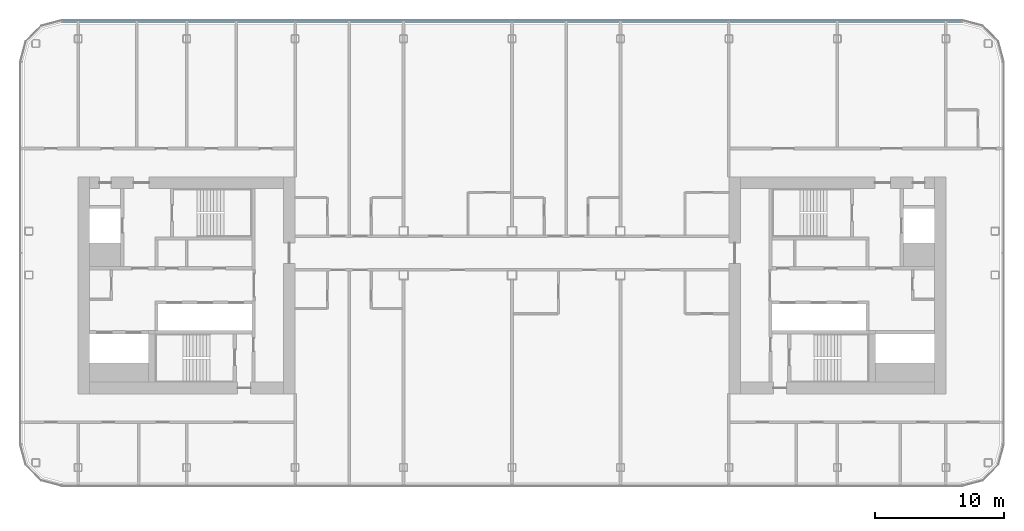
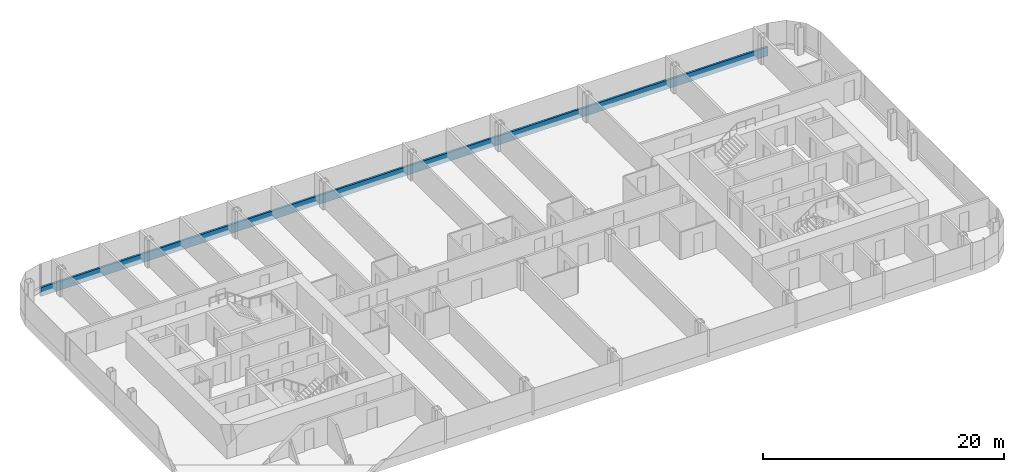
# One storey, part 8 of 26: 1 member, 1 element without a shape of its own.
"""IFC4 building model written with IfcOpenShell, lengths in metres."""

from ifc_helpers import new_model, si_unit, direction, frame, origin, origin_2d, place, context, subcontext, project, spatial, rectangle, extrude, material, layer, layer_set, material_profile, profile_set, type_object, element, aggregate, save


model = new_model("IFC4")

# Units and contexts
model_context = context("Model", 3, precision=1e-05, world=origin(), true_north=direction((0.0, 1.0)))
body_context = subcontext(model_context, "Body", "Model", "MODEL_VIEW")
ifc_project = project(units=[si_unit("LENGTHUNIT", "METRE"), si_unit("AREAUNIT", "SQUARE_METRE"), si_unit("VOLUMEUNIT", "CUBIC_METRE"), si_unit("PLANEANGLEUNIT", "RADIAN"), si_unit("MASSUNIT", "GRAM", prefix="KILO")], contexts=[model_context])

# Site, building, storey
site_placement = place(None, origin())
site = spatial("IfcSite", under=ifc_project, at=site_placement, CompositionType="ELEMENT")
building_placement = place(site_placement, origin())
building = spatial("IfcBuilding", under=site, at=building_placement, Name="Hakoniwa Tower and Hamabe Station Hall", CompositionType="ELEMENT")
storey_placement = place(building_placement, frame((0.0, 0.0, 212.199951171875)))
storey = spatial("IfcBuildingStorey", under=building, at=storey_placement, Name="L60", CompositionType="ELEMENT", Elevation=212.199951171875)

# Curtain wall, member
ifc_material_1 = material(Name="Dark low-e laminated glass", Category="glass")
ifc_layer = layer(ifc_material_1, 0.199951171875)
ifc_layer_set = layer_set([ifc_layer], Name="CW-1 UNITISED GUEST")
curtain_wall_type = type_object("IfcCurtainWallType", Name="CW-1 UNITISED GUEST", PredefinedType="NOTDEFINED", material=ifc_layer_set)
curtain_wall_placement = place(storey_placement, origin())
curtain_wall = element("IfcCurtainWall", 1, at=curtain_wall_placement, inside=storey, type_object=curtain_wall_type, Name="CW-1 curtain wall", PredefinedType="NOTDEFINED")
ifc_material_2 = material(Name="Aluminium 6063-T5 black anodised", Category="aluminium")
ifc_material_profile = material_profile(ifc_material_2, rectangle(XDim=0.199951171875, YDim=0.89990234375, at=origin_2d()), Name="CW SLAB-EDGE BAND 900X200")
ifc_profile_set = profile_set([ifc_material_profile], Name="Aluminium 6063-T5 black anodised")
member_type = type_object("IfcMemberType", Name="CW SLAB-EDGE BAND 900X200", PredefinedType="USERDEFINED", material=ifc_profile_set)
member_placement = place(storey_placement, frame((34.839599609375, 20.449951171875, -0.099853515625), z_axis=(-1.0, 0.0, 0.0), x_axis=(0.0, -1.0, 0.0)))
member = element("IfcMember", 2, at=member_placement, type_object=member_type, Name="CW-1 transom", ObjectType="TRANSOM", PredefinedType="USERDEFINED", context=body_context, shape_type="SweptSolid", body=[
    extrude(rectangle(XDim=0.199951171875, YDim=0.89990234375, at=origin_2d()), origin(), (0.0, 0.0, 1.0), 69.67919921875),
])
aggregate(curtain_wall, [member])

save(model, "model.ifc")
